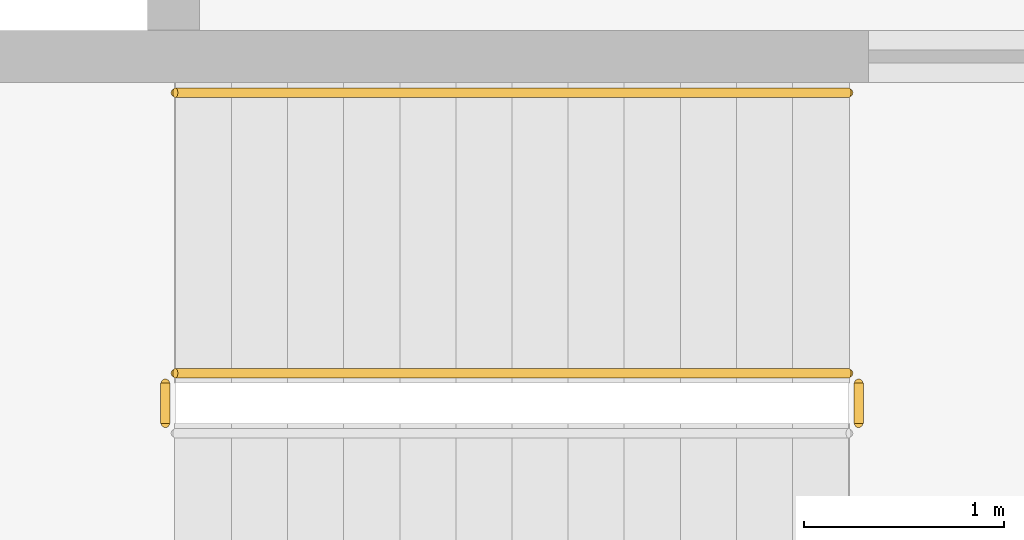
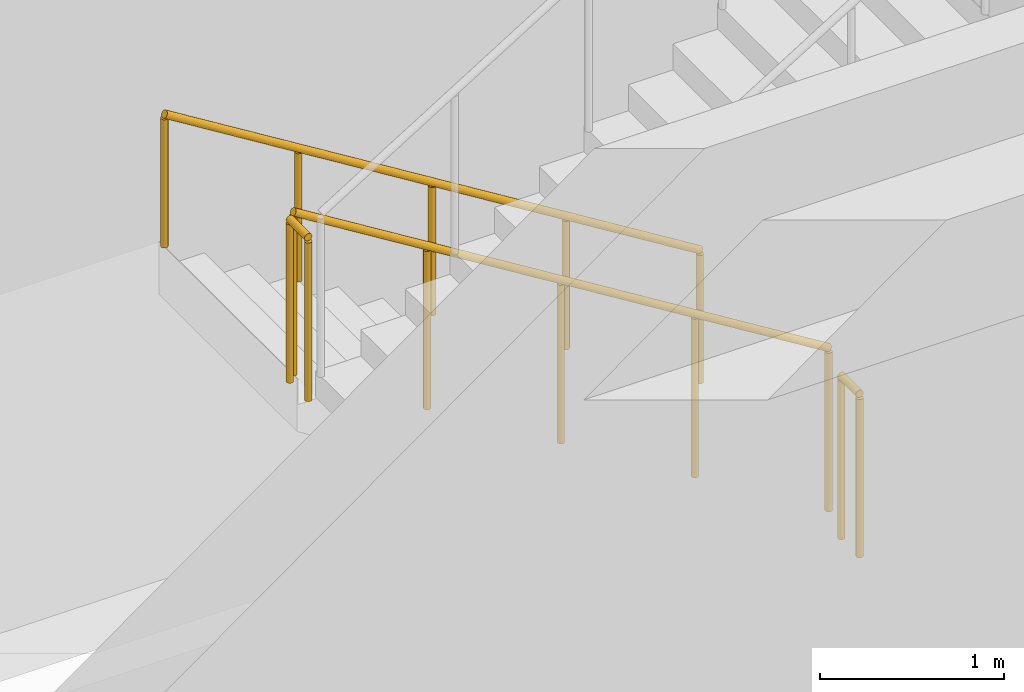
# One storey, part 101 of 109: 4 railings.
"""IFC4 building model written with IfcOpenShell, lengths in metres."""

from ifc_helpers import new_model, si_unit, direction, frame, origin, origin_2d, place, context, subcontext, project, spatial, circle, extrude, material, type_object, element, save


model = new_model("IFC4")

# Units and contexts
model_context = context("Model", 3, precision=1e-05, world=origin(), true_north=direction((0.0, 1.0)))
body_context = subcontext(model_context, "Body", "Model", "MODEL_VIEW")
ifc_project = project(units=[si_unit("LENGTHUNIT", "METRE"), si_unit("AREAUNIT", "SQUARE_METRE"), si_unit("VOLUMEUNIT", "CUBIC_METRE"), si_unit("PLANEANGLEUNIT", "RADIAN"), si_unit("MASSUNIT", "GRAM", prefix="KILO")], contexts=[model_context])

# Site, building, storey
site_placement = place(None, origin())
site = spatial("IfcSite", under=ifc_project, at=site_placement, CompositionType="ELEMENT")
building_placement = place(site_placement, origin())
building = spatial("IfcBuilding", under=site, at=building_placement, Name="Fikremerkos Civic Library", CompositionType="ELEMENT")
storey_placement = place(building_placement, frame((0.0, 0.0, 5.39990234375)))
storey = spatial("IfcBuildingStorey", under=building, at=storey_placement, Name="L01", CompositionType="ELEMENT", Elevation=5.39990234375)

# Railings
ifc_material_1 = material(Name="Painted Steel S275", Category="steel")
railing_type_1 = type_object("IfcRailingType", Name="Interior balustrade guard RLG-INT 1100", PredefinedType="BALUSTRADE", material=ifc_material_1)
railing_1_placement = place(storey_placement, frame((53.5, 24.25, 0.173095703125)))
element("IfcRailing", 1, at=railing_1_placement, inside=storey, type_object=railing_type_1, Name="L01 ST-K3 stair guard 1", PredefinedType="BALUSTRADE", context=body_context, shape_type="SweptSolid", body=[
    extrude(circle(Radius=0.02392578125, at=origin_2d()), frame((0.0, 0.0, 1.076171875), z_axis=(-0.850623216509, 0.0, 0.525775754039), x_axis=(0.0, -1.0, 0.0)), (0.0, 0.0, 1.0), 3.9501953125),
    extrude(circle(Radius=0.02099609375, at=origin_2d()), origin(), (0.0, 0.0, 1.0), 1.052001953125),
    extrude(circle(Radius=0.02099609375, at=origin_2d()), frame((-0.840087890625, 0.0, 0.519287109375)), (0.0, 0.0, 1.0), 1.052001953125),
    extrude(circle(Radius=0.02099609375, at=origin_2d()), frame((-1.68017578125, 0.0, 1.03857421875)), (0.0, 0.0, 1.0), 1.052001953125),
    extrude(circle(Radius=0.02099609375, at=origin_2d()), frame((-2.52001953125, 0.0, 1.5576171875)), (0.0, 0.0, 1.0), 1.052001953125),
    extrude(circle(Radius=0.02099609375, at=origin_2d()), frame((-3.360107421875, 0.0, 2.076904296875)), (0.0, 0.0, 1.0), 1.052001953125),
])
for number, where, name in (
    (2, (50.090087890625, 24.199951171875, 2.25), "L01 ST-K3 stair guard 2"),
    (3, (53.550048828125, 24.199951171875, 0.0), "L01 ST-K3 stair guard 4"),
):
    element("IfcRailing", number, at=place(storey_placement, frame(where)), inside=storey, type_object=railing_type_1, Name=name, PredefinedType="BALUSTRADE", context=body_context, shape_type="SweptSolid", body=[
        extrude(circle(Radius=0.02392578125, at=origin_2d()), frame((0.0, 0.0, 1.076171875), z_axis=(0.0, -1.0, 0.0), x_axis=(1.0, 0.0, 0.0)), (0.0, 0.0, 1.0), 0.199951171875),
        extrude(circle(Radius=0.02099609375, at=origin_2d()), origin(), (0.0, 0.0, 1.0), 1.052001953125),
        extrude(circle(Radius=0.02099609375, at=origin_2d()), frame((0.0, -0.199951171875, 0.0)), (0.0, 0.0, 1.0), 1.052001953125),
    ])
ifc_material_2 = material(Name="Brushed stainless steel", Category="steel")
railing_type_2 = type_object("IfcRailingType", Name="Wall and flight handrail HRL-01 900", PredefinedType="HANDRAIL", material=ifc_material_2)
railing_2_placement = place(storey_placement, frame((53.5, 25.64990234375, 0.173095703125)))
element("IfcRailing", 4, at=railing_2_placement, inside=storey, type_object=railing_type_2, Name="L01 ST-K3 stair handrail 1", PredefinedType="HANDRAIL", context=body_context, shape_type="SweptSolid", body=[
    extrude(circle(Radius=0.02392578125, at=origin_2d()), frame((0.0, 0.0, 0.8759765625), z_axis=(-0.850623216509, 0.0, 0.525775754039), x_axis=(0.0, -1.0, 0.0)), (0.0, 0.0, 1.0), 3.9501953125),
    extrude(circle(Radius=0.02099609375, at=origin_2d()), origin(), (0.0, 0.0, 1.0), 0.851806640625),
    extrude(circle(Radius=0.02099609375, at=origin_2d()), frame((-0.840087890625, 0.0, 0.519287109375)), (0.0, 0.0, 1.0), 0.851806640625),
    extrude(circle(Radius=0.02099609375, at=origin_2d()), frame((-1.68017578125, 0.0, 1.03857421875)), (0.0, 0.0, 1.0), 0.851806640625),
    extrude(circle(Radius=0.02099609375, at=origin_2d()), frame((-2.52001953125, 0.0, 1.5576171875)), (0.0, 0.0, 1.0), 0.851806640625),
    extrude(circle(Radius=0.02099609375, at=origin_2d()), frame((-3.360107421875, 0.0, 2.076904296875)), (0.0, 0.0, 1.0), 0.851806640625),
])

save(model, "model.ifc")
